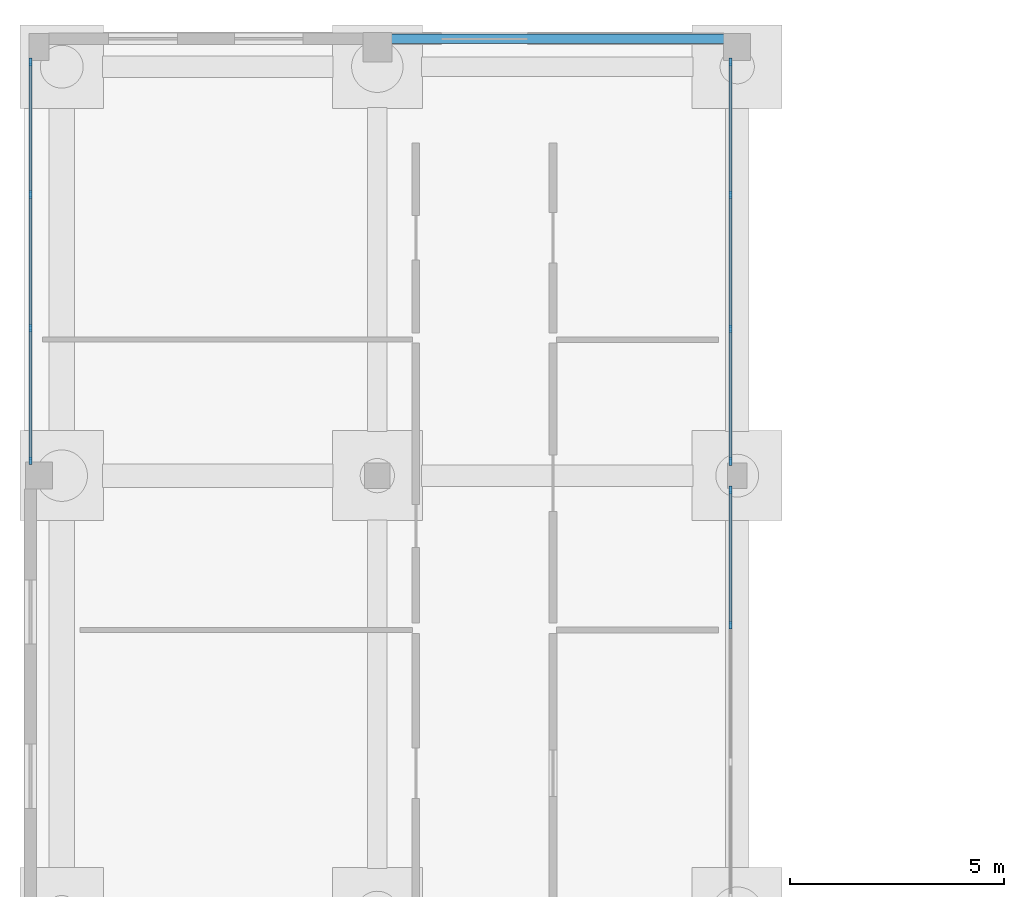
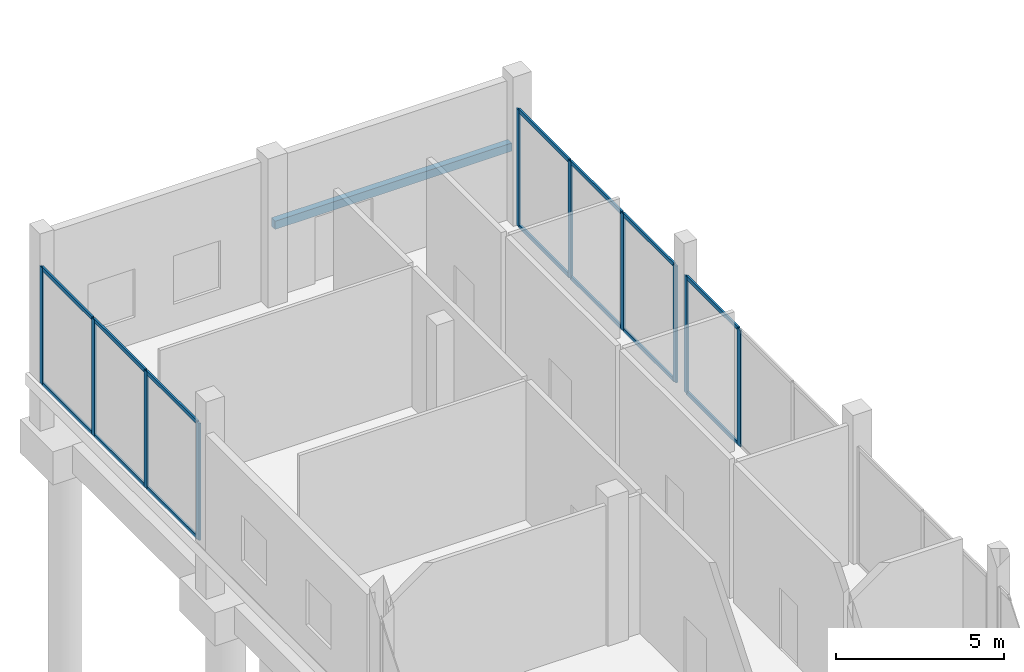
# One storey, part 34 of 88: 24 members, 1 beam, 3 elements without a shape of their own.
"""IFC4 building model written with IfcOpenShell, lengths in metres."""

from ifc_helpers import new_model, si_unit, direction, frame, origin, origin_2d, place, context, subcontext, project, spatial, rectangle, extrude, material, layer, layer_set, material_profile, profile_set, type_object, element, aggregate, save


model = new_model("IFC4")

# Units and contexts
model_context = context("Model", 3, precision=1e-05, world=origin(), true_north=direction((0.0, 1.0)))
body_context = subcontext(model_context, "Body", "Model", "MODEL_VIEW")
ifc_project = project(units=[si_unit("LENGTHUNIT", "METRE"), si_unit("AREAUNIT", "SQUARE_METRE"), si_unit("VOLUMEUNIT", "CUBIC_METRE"), si_unit("PLANEANGLEUNIT", "RADIAN"), si_unit("MASSUNIT", "GRAM", prefix="KILO")], contexts=[model_context])

# Site, building, storey
site_placement = place(None, origin())
site = spatial("IfcSite", under=ifc_project, at=site_placement, CompositionType="ELEMENT")
building_placement = place(site_placement, origin())
building = spatial("IfcBuilding", under=site, at=building_placement, Name="Birchvale Park Specialist Clinic", CompositionType="ELEMENT")
storey_placement = place(building_placement, origin())
storey = spatial("IfcBuildingStorey", under=building, at=storey_placement, Name="L00", CompositionType="ELEMENT", Elevation=0.0)

# Curtain wall, members
ifc_material_1 = material(Name="Thermally broken anodised aluminium", Category="aluminium")
ifc_layer = layer(ifc_material_1, 0.195068359375)
ifc_layer_set = layer_set([ifc_layer], Name="Thermally broken anodised aluminium")
curtain_wall_type = type_object("IfcCurtainWallType", Name="CW-U2", PredefinedType="USERDEFINED", material=ifc_layer_set)
curtain_wall_1_placement = place(storey_placement, origin())
curtain_wall_1 = element("IfcCurtainWall", 1, at=curtain_wall_1_placement, inside=storey, type_object=curtain_wall_type, Name="V2 L00 glazed curtain wall 27", ObjectType="UNITISED", PredefinedType="USERDEFINED")
ifc_material_profile_1 = material_profile(ifc_material_1, rectangle(XDim=0.06494140625, YDim=0.179931640625, at=origin_2d()), Name="CWM-65x180")
ifc_profile_set_1 = profile_set([ifc_material_profile_1], Name="Thermally broken anodised aluminium")
member_type_1 = type_object("IfcMemberType", Name="CWM2", PredefinedType="MULLION", material=ifc_profile_set_1)
member_1_placement = place(storey_placement, frame((19.445068359375, 97.908447265625, 0.0), z_axis=(0.0, 0.0, 1.0), x_axis=(-1.0, 0.0, 0.0)))
member_1 = element("IfcMember", 2, at=member_1_placement, type_object=member_type_1, Name="CW mullion 3", PredefinedType="MULLION", context=body_context, shape_type="SweptSolid", body=[
    extrude(rectangle(XDim=0.06494140625, YDim=0.179931640625, at=origin_2d()), origin(), (0.0, 0.0, 1.0), 4.235107421875),
])
member_2_placement = place(storey_placement, frame((19.445068359375, 101.0673828125, 0.0), z_axis=(0.0, 0.0, 1.0), x_axis=(-1.0, 0.0, 0.0)))
member_2 = element("IfcMember", 3, at=member_2_placement, type_object=member_type_1, Name="CW mullion 4", PredefinedType="MULLION", context=body_context, shape_type="SweptSolid", body=[
    extrude(rectangle(XDim=0.06494140625, YDim=0.179931640625, at=origin_2d()), origin(), (0.0, 0.0, 1.0), 4.235107421875),
])

curtain_wall_2_placement = place(storey_placement, origin())
curtain_wall_2 = element("IfcCurtainWall", 4, at=curtain_wall_2_placement, inside=storey, type_object=curtain_wall_type, Name="V2 L00 glazed curtain wall 28", ObjectType="UNITISED", PredefinedType="USERDEFINED")
member_3_placement = place(storey_placement, frame((19.445068359375, 101.732421875, 0.0), z_axis=(0.0, 0.0, 1.0), x_axis=(-1.0, 0.0, 0.0)))
member_3 = element("IfcMember", 5, at=member_3_placement, type_object=member_type_1, Name="CW mullion 1", PredefinedType="MULLION", context=body_context, shape_type="SweptSolid", body=[
    extrude(rectangle(XDim=0.06494140625, YDim=0.179931640625, at=origin_2d()), origin(), (0.0, 0.0, 1.0), 4.235107421875),
])
member_4_placement = place(storey_placement, frame((19.445068359375, 104.828369140625, 0.0), z_axis=(0.0, 0.0, 1.0), x_axis=(-1.0, 0.0, 0.0)))
member_4 = element("IfcMember", 6, at=member_4_placement, type_object=member_type_1, Name="CW mullion 2", PredefinedType="MULLION", context=body_context, shape_type="SweptSolid", body=[
    extrude(rectangle(XDim=0.06494140625, YDim=0.179931640625, at=origin_2d()), origin(), (0.0, 0.0, 1.0), 4.235107421875),
])
member_5_placement = place(storey_placement, frame((19.445068359375, 107.956787109375, 0.0), z_axis=(0.0, 0.0, 1.0), x_axis=(-1.0, 0.0, 0.0)))
member_5 = element("IfcMember", 7, at=member_5_placement, type_object=member_type_1, Name="CW mullion 3", PredefinedType="MULLION", context=body_context, shape_type="SweptSolid", body=[
    extrude(rectangle(XDim=0.06494140625, YDim=0.179931640625, at=origin_2d()), origin(), (0.0, 0.0, 1.0), 4.235107421875),
])
member_6_placement = place(storey_placement, frame((19.445068359375, 111.052490234375, 0.0), z_axis=(0.0, 0.0, 1.0), x_axis=(-1.0, 0.0, 0.0)))
member_6 = element("IfcMember", 8, at=member_6_placement, type_object=member_type_1, Name="CW mullion 4", PredefinedType="MULLION", context=body_context, shape_type="SweptSolid", body=[
    extrude(rectangle(XDim=0.06494140625, YDim=0.179931640625, at=origin_2d()), origin(), (0.0, 0.0, 1.0), 4.235107421875),
])

curtain_wall_3_placement = place(storey_placement, origin())
curtain_wall_3 = element("IfcCurtainWall", 9, at=curtain_wall_3_placement, inside=storey, type_object=curtain_wall_type, Name="V2 L00 glazed curtain wall 29", ObjectType="UNITISED", PredefinedType="USERDEFINED")
member_7_placement = place(storey_placement, frame((3.10498046875, 111.052490234375, 0.0), z_axis=(0.0, 0.0, 1.0), x_axis=(1.0, 0.0, 0.0)))
member_7 = element("IfcMember", 10, at=member_7_placement, type_object=member_type_1, Name="CW mullion 1", PredefinedType="MULLION", context=body_context, shape_type="SweptSolid", body=[
    extrude(rectangle(XDim=0.06494140625, YDim=0.179931640625, at=origin_2d()), origin(), (0.0, 0.0, 1.0), 4.235107421875),
])
member_8_placement = place(storey_placement, frame((3.10498046875, 107.961669921875, 0.0), z_axis=(0.0, 0.0, 1.0), x_axis=(1.0, 0.0, 0.0)))
member_8 = element("IfcMember", 11, at=member_8_placement, type_object=member_type_1, Name="CW mullion 2", PredefinedType="MULLION", context=body_context, shape_type="SweptSolid", body=[
    extrude(rectangle(XDim=0.06494140625, YDim=0.179931640625, at=origin_2d()), origin(), (0.0, 0.0, 1.0), 4.235107421875),
])
member_9_placement = place(storey_placement, frame((3.10498046875, 104.83837890625, 0.0), z_axis=(0.0, 0.0, 1.0), x_axis=(1.0, 0.0, 0.0)))
member_9 = element("IfcMember", 12, at=member_9_placement, type_object=member_type_1, Name="CW mullion 3", PredefinedType="MULLION", context=body_context, shape_type="SweptSolid", body=[
    extrude(rectangle(XDim=0.06494140625, YDim=0.179931640625, at=origin_2d()), origin(), (0.0, 0.0, 1.0), 4.235107421875),
])
member_10_placement = place(storey_placement, frame((3.10498046875, 101.74755859375, 0.0), z_axis=(0.0, 0.0, 1.0), x_axis=(1.0, 0.0, 0.0)))
member_10 = element("IfcMember", 13, at=member_10_placement, type_object=member_type_1, Name="CW mullion 4", PredefinedType="MULLION", context=body_context, shape_type="SweptSolid", body=[
    extrude(rectangle(XDim=0.06494140625, YDim=0.179931640625, at=origin_2d()), origin(), (0.0, 0.0, 1.0), 4.235107421875),
])

# Member
ifc_material_profile_2 = material_profile(ifc_material_1, rectangle(XDim=0.06494140625, YDim=0.139892578125, at=origin_2d()), Name="CWT-65x140")
ifc_profile_set_2 = profile_set([ifc_material_profile_2], Name="Thermally broken anodised aluminium")
member_type_2 = type_object("IfcMemberType", Name="CWT2", PredefinedType="USERDEFINED", material=ifc_profile_set_2)
member_11_placement = place(storey_placement, frame((19.445068359375, 97.94091796875, 0.032470703125), z_axis=(0.0, 1.0, 0.0), x_axis=(-1.0, 0.0, 0.0)))
member_11 = element("IfcMember", 14, at=member_11_placement, type_object=member_type_2, Name="CW transom 3.1", ObjectType="TRANSOM", PredefinedType="USERDEFINED", context=body_context, shape_type="SweptSolid", body=[
    extrude(rectangle(XDim=0.06494140625, YDim=0.139892578125, at=origin_2d()), origin(), (0.0, 0.0, 1.0), 3.093994140625),
])

member_12_placement = place(storey_placement, frame((19.445068359375, 97.94091796875, 4.202392578125), z_axis=(0.0, 1.0, 0.0), x_axis=(-1.0, 0.0, 0.0)))
member_12 = element("IfcMember", 15, at=member_12_placement, type_object=member_type_2, Name="CW transom 3.2", ObjectType="TRANSOM", PredefinedType="USERDEFINED", context=body_context, shape_type="SweptSolid", body=[
    extrude(rectangle(XDim=0.06494140625, YDim=0.139892578125, at=origin_2d()), origin(), (0.0, 0.0, 1.0), 3.093994140625),
])

aggregate(curtain_wall_1, [member_1, member_2, member_11, member_12])

member_13_placement = place(storey_placement, frame((19.445068359375, 101.764892578125, 0.032470703125), z_axis=(0.0, 1.0, 0.0), x_axis=(-1.0, 0.0, 0.0)))
member_13 = element("IfcMember", 16, at=member_13_placement, type_object=member_type_2, Name="CW transom 1.1", ObjectType="TRANSOM", PredefinedType="USERDEFINED", context=body_context, shape_type="SweptSolid", body=[
    extrude(rectangle(XDim=0.06494140625, YDim=0.139892578125, at=origin_2d()), origin(), (0.0, 0.0, 1.0), 3.031005859375),
])

member_14_placement = place(storey_placement, frame((19.445068359375, 101.764892578125, 4.202392578125), z_axis=(0.0, 1.0, 0.0), x_axis=(-1.0, 0.0, 0.0)))
member_14 = element("IfcMember", 17, at=member_14_placement, type_object=member_type_2, Name="CW transom 1.2", ObjectType="TRANSOM", PredefinedType="USERDEFINED", context=body_context, shape_type="SweptSolid", body=[
    extrude(rectangle(XDim=0.06494140625, YDim=0.139892578125, at=origin_2d()), origin(), (0.0, 0.0, 1.0), 3.031005859375),
])

member_15_placement = place(storey_placement, frame((19.445068359375, 104.86083984375, 0.032470703125), z_axis=(0.0, 1.0, 0.0), x_axis=(-1.0, 0.0, 0.0)))
member_15 = element("IfcMember", 18, at=member_15_placement, type_object=member_type_2, Name="CW transom 2.1", ObjectType="TRANSOM", PredefinedType="USERDEFINED", context=body_context, shape_type="SweptSolid", body=[
    extrude(rectangle(XDim=0.06494140625, YDim=0.139892578125, at=origin_2d()), origin(), (0.0, 0.0, 1.0), 3.063232421875),
])

member_16_placement = place(storey_placement, frame((19.445068359375, 104.86083984375, 4.202392578125), z_axis=(0.0, 1.0, 0.0), x_axis=(-1.0, 0.0, 0.0)))
member_16 = element("IfcMember", 19, at=member_16_placement, type_object=member_type_2, Name="CW transom 2.2", ObjectType="TRANSOM", PredefinedType="USERDEFINED", context=body_context, shape_type="SweptSolid", body=[
    extrude(rectangle(XDim=0.06494140625, YDim=0.139892578125, at=origin_2d()), origin(), (0.0, 0.0, 1.0), 3.063232421875),
])

member_17_placement = place(storey_placement, frame((19.445068359375, 107.9892578125, 0.032470703125), z_axis=(0.0, 1.0, 0.0), x_axis=(-1.0, 0.0, 0.0)))
member_17 = element("IfcMember", 20, at=member_17_placement, type_object=member_type_2, Name="CW transom 3.1", ObjectType="TRANSOM", PredefinedType="USERDEFINED", context=body_context, shape_type="SweptSolid", body=[
    extrude(rectangle(XDim=0.06494140625, YDim=0.139892578125, at=origin_2d()), origin(), (0.0, 0.0, 1.0), 3.03076171875),
])

member_18_placement = place(storey_placement, frame((19.445068359375, 107.9892578125, 4.202392578125), z_axis=(0.0, 1.0, 0.0), x_axis=(-1.0, 0.0, 0.0)))
member_18 = element("IfcMember", 21, at=member_18_placement, type_object=member_type_2, Name="CW transom 3.2", ObjectType="TRANSOM", PredefinedType="USERDEFINED", context=body_context, shape_type="SweptSolid", body=[
    extrude(rectangle(XDim=0.06494140625, YDim=0.139892578125, at=origin_2d()), origin(), (0.0, 0.0, 1.0), 3.03076171875),
])

aggregate(curtain_wall_2, [member_3, member_4, member_5, member_6, member_13, member_14, member_15, member_16, member_17, member_18])

member_19_placement = place(storey_placement, frame((3.10498046875, 111.02001953125, 0.032470703125), z_axis=(0.0, -1.0, 0.0), x_axis=(1.0, 0.0, 0.0)))
member_19 = element("IfcMember", 22, at=member_19_placement, type_object=member_type_2, Name="CW transom 1.1", ObjectType="TRANSOM", PredefinedType="USERDEFINED", context=body_context, shape_type="SweptSolid", body=[
    extrude(rectangle(XDim=0.06494140625, YDim=0.139892578125, at=origin_2d()), origin(), (0.0, 0.0, 1.0), 3.02587890625),
])

member_20_placement = place(storey_placement, frame((3.10498046875, 111.02001953125, 4.202392578125), z_axis=(0.0, -1.0, 0.0), x_axis=(1.0, 0.0, 0.0)))
member_20 = element("IfcMember", 23, at=member_20_placement, type_object=member_type_2, Name="CW transom 1.2", ObjectType="TRANSOM", PredefinedType="USERDEFINED", context=body_context, shape_type="SweptSolid", body=[
    extrude(rectangle(XDim=0.06494140625, YDim=0.139892578125, at=origin_2d()), origin(), (0.0, 0.0, 1.0), 3.02587890625),
])

member_21_placement = place(storey_placement, frame((3.10498046875, 107.92919921875, 0.032470703125), z_axis=(0.0, -1.0, 0.0), x_axis=(1.0, 0.0, 0.0)))
member_21 = element("IfcMember", 24, at=member_21_placement, type_object=member_type_2, Name="CW transom 2.1", ObjectType="TRANSOM", PredefinedType="USERDEFINED", context=body_context, shape_type="SweptSolid", body=[
    extrude(rectangle(XDim=0.06494140625, YDim=0.139892578125, at=origin_2d()), origin(), (0.0, 0.0, 1.0), 3.058349609375),
])

member_22_placement = place(storey_placement, frame((3.10498046875, 107.92919921875, 4.202392578125), z_axis=(0.0, -1.0, 0.0), x_axis=(1.0, 0.0, 0.0)))
member_22 = element("IfcMember", 25, at=member_22_placement, type_object=member_type_2, Name="CW transom 2.2", ObjectType="TRANSOM", PredefinedType="USERDEFINED", context=body_context, shape_type="SweptSolid", body=[
    extrude(rectangle(XDim=0.06494140625, YDim=0.139892578125, at=origin_2d()), origin(), (0.0, 0.0, 1.0), 3.058349609375),
])

member_23_placement = place(storey_placement, frame((3.10498046875, 104.805908203125, 0.032470703125), z_axis=(0.0, -1.0, 0.0), x_axis=(1.0, 0.0, 0.0)))
member_23 = element("IfcMember", 26, at=member_23_placement, type_object=member_type_2, Name="CW transom 3.1", ObjectType="TRANSOM", PredefinedType="USERDEFINED", context=body_context, shape_type="SweptSolid", body=[
    extrude(rectangle(XDim=0.06494140625, YDim=0.139892578125, at=origin_2d()), origin(), (0.0, 0.0, 1.0), 3.02587890625),
])

member_24_placement = place(storey_placement, frame((3.10498046875, 104.805908203125, 4.202392578125), z_axis=(0.0, -1.0, 0.0), x_axis=(1.0, 0.0, 0.0)))
member_24 = element("IfcMember", 27, at=member_24_placement, type_object=member_type_2, Name="CW transom 3.2", ObjectType="TRANSOM", PredefinedType="USERDEFINED", context=body_context, shape_type="SweptSolid", body=[
    extrude(rectangle(XDim=0.06494140625, YDim=0.139892578125, at=origin_2d()), origin(), (0.0, 0.0, 1.0), 3.02587890625),
])

aggregate(curtain_wall_3, [member_7, member_8, member_9, member_10, member_19, member_20, member_21, member_22, member_23, member_24])

# Beam
ifc_material_2 = material(Name="Concrete C40/50", Category="concrete")
ifc_material_profile_3 = material_profile(ifc_material_2, rectangle(XDim=0.219970703125, YDim=0.300048828125, at=origin_2d()), Name="LNT-220x300")
ifc_profile_set_3 = profile_set([ifc_material_profile_3], Name="Concrete C40/50")
beam_type = type_object("IfcBeamType", Name="LNT-EXT-LN2", PredefinedType="LINTEL", material=ifc_profile_set_3)
beam_placement = place(storey_placement, frame((19.469970703125, 111.594970703125, 2.570068359375), z_axis=(-1.0, 0.0, 0.0), x_axis=(0.0, -1.0, 0.0)))
element("IfcBeam", 28, at=beam_placement, inside=storey, type_object=beam_type, Name="V2 L00 exit opening lintel 8", PredefinedType="LINTEL", context=body_context, shape_type="SweptSolid", body=[
    extrude(rectangle(XDim=0.219970703125, YDim=0.300048828125, at=origin_2d()), origin(), (0.0, 0.0, 1.0), 8.114990234375),
])

save(model, "model.ifc")
